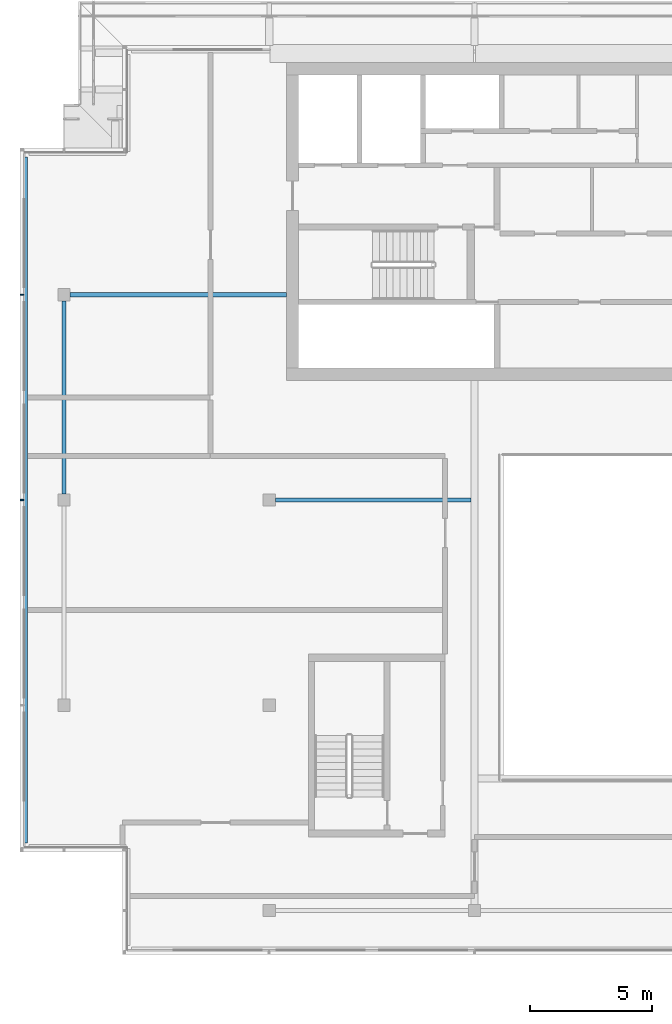
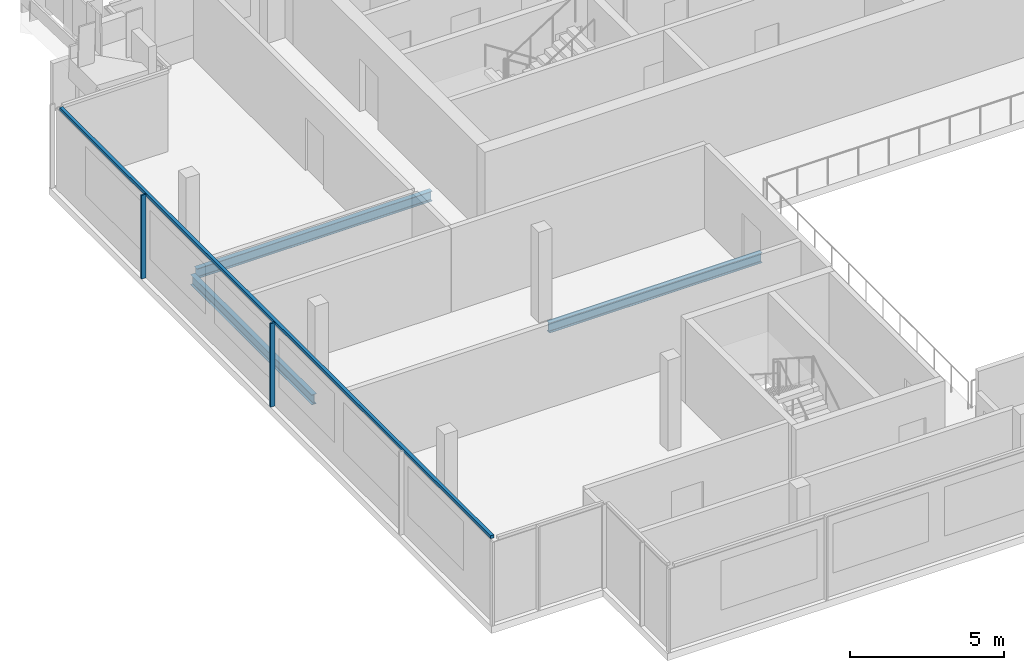
# One storey, part 4 of 21: 3 beams, 3 members, 1 element without a shape of its own.
"""IFC4 building model written with IfcOpenShell, lengths in metres."""

from ifc_helpers import new_model, si_unit, direction, frame, origin, origin_2d, place, context, subcontext, project, spatial, rectangle, i_section, extrude, material, material_profile, profile_set, type_object, element, aggregate, save


model = new_model("IFC4")

# Units and contexts
model_context = context("Model", 3, precision=1e-05, world=origin(), true_north=direction((0.0, 1.0)))
body_context = subcontext(model_context, "Body", "Model", "MODEL_VIEW")
ifc_project = project(units=[si_unit("LENGTHUNIT", "METRE"), si_unit("AREAUNIT", "SQUARE_METRE"), si_unit("VOLUMEUNIT", "CUBIC_METRE"), si_unit("PLANEANGLEUNIT", "RADIAN"), si_unit("MASSUNIT", "GRAM", prefix="KILO")], contexts=[model_context])

# Site, building, storey
site_placement = place(None, origin())
site = spatial("IfcSite", under=ifc_project, at=site_placement, CompositionType="ELEMENT")
building_placement = place(site_placement, origin())
building = spatial("IfcBuilding", under=site, at=building_placement, Name="Saffron Gate Tower", CompositionType="ELEMENT")
storey_placement = place(building_placement, frame((0.0, 0.0, 299.550048828125)))
storey = spatial("IfcBuildingStorey", under=building, at=storey_placement, Name="L73", CompositionType="ELEMENT", Elevation=299.550048828125)

# Beams
ifc_material_1 = material(Name="Structural steel S355", Category="steel")
ifc_material_profile_1 = material_profile(ifc_material_1, i_section(OverallWidth=0.179931640625, OverallDepth=0.39990234375, WebThickness=0.008544921875, FlangeThickness=0.013427734375, FilletRadius=0.02099609375, at=origin_2d()))
ifc_profile_set_1 = profile_set([ifc_material_profile_1], Name="Structural steel S355")
beam_type_1 = type_object("IfcBeamType", Name="B4 IPE 400", PredefinedType="BEAM", material=ifc_profile_set_1)
beam_1_placement = place(storey_placement, frame((66.85009765625, 57.0, -0.47998046875), z_axis=(1.0, 0.0, 0.0), x_axis=(0.0, 1.0, 0.0)))
element("IfcBeam", 1, at=beam_1_placement, inside=storey, type_object=beam_type_1, Name="B4 CORE TIE BEAM", PredefinedType="BEAM", context=body_context, shape_type="SweptSolid", body=[
    extrude(i_section(OverallWidth=0.179931640625, OverallDepth=0.39990234375, WebThickness=0.008544921875, FlangeThickness=0.013427734375, FilletRadius=0.02099609375, at=origin_2d()), origin(), (0.0, 0.0, 1.0), 8.0),
])
beam_2_placement = place(storey_placement, frame((58.449951171875, 65.39990234375, -0.47998046875), z_axis=(1.0, 0.0, 0.0), x_axis=(0.0, 1.0, 0.0)))
element("IfcBeam", 2, at=beam_2_placement, inside=storey, type_object=beam_type_1, Name="B4 CORE TIE BEAM", PredefinedType="BEAM", context=body_context, shape_type="SweptSolid", body=[
    extrude(i_section(OverallWidth=0.179931640625, OverallDepth=0.39990234375, WebThickness=0.008544921875, FlangeThickness=0.013427734375, FilletRadius=0.02099609375, at=origin_2d()), origin(), (0.0, 0.0, 1.0), 8.85009765625),
])
ifc_material_profile_2 = material_profile(ifc_material_1, i_section(OverallWidth=0.179931640625, OverallDepth=0.39990234375, WebThickness=0.008544921875, FlangeThickness=0.013427734375, FilletRadius=0.02099609375, at=origin_2d()))
ifc_profile_set_2 = profile_set([ifc_material_profile_2], Name="Structural steel S355")
beam_type_2 = type_object("IfcBeamType", Name="B5 IPE 400", PredefinedType="SPANDREL", material=ifc_profile_set_2)
beam_3_placement = place(storey_placement, frame((58.199951171875, 57.25, -0.47998046875), z_axis=(0.0, 1.0, 0.0), x_axis=(-1.0, 0.0, 0.0)))
element("IfcBeam", 3, at=beam_3_placement, inside=storey, type_object=beam_type_2, Name="B5 SPANDREL BEAM", PredefinedType="SPANDREL", context=body_context, shape_type="SweptSolid", body=[
    extrude(i_section(OverallWidth=0.179931640625, OverallDepth=0.39990234375, WebThickness=0.008544921875, FlangeThickness=0.013427734375, FilletRadius=0.02099609375, at=origin_2d()), origin(), (0.0, 0.0, 1.0), 7.89990234375),
])

# Curtain wall, members
ifc_material_2 = material(Name="Aluminium, bronze anodised", Category="aluminium")
curtain_wall_type = type_object("IfcCurtainWallType", Name="CWS2 curtain wall side facades", PredefinedType="NOTDEFINED", material=ifc_material_2)
curtain_wall_placement = place(storey_placement, origin())
curtain_wall = element("IfcCurtainWall", 4, at=curtain_wall_placement, inside=storey, type_object=curtain_wall_type, Name="CWS2 run 10", PredefinedType="NOTDEFINED")
ifc_material_profile_3 = material_profile(ifc_material_2, rectangle(XDim=0.1201171875, YDim=0.1201171875, at=origin_2d()))
ifc_profile_set_3 = profile_set([ifc_material_profile_3], Name="Aluminium, bronze anodised")
member_type_1 = type_object("IfcMemberType", Name="CWS2 head transom", PredefinedType="USERDEFINED", material=ifc_profile_set_3)
member_1_placement = place(storey_placement, frame((56.64794921875, 71.031982421875, 3.260009765625), z_axis=(0.0, -1.0, 0.0), x_axis=(1.0, 0.0, 0.0)))
member_1 = element("IfcMember", 5, at=member_1_placement, type_object=member_type_1, Name="CWS2 head transom", ObjectType="TRANSOM", PredefinedType="USERDEFINED", context=body_context, shape_type="SweptSolid", body=[
    extrude(rectangle(XDim=0.1201171875, YDim=0.1201171875, at=origin_2d()), origin(), (0.0, 0.0, 1.0), 28.06396484375),
])
ifc_material_profile_4 = material_profile(ifc_material_2, rectangle(XDim=0.159912109375, YDim=0.06005859375, at=origin_2d()))
ifc_profile_set_4 = profile_set([ifc_material_profile_4], Name="Aluminium, bronze anodised")
member_type_2 = type_object("IfcMemberType", Name="CWS2 mullion 60x160", PredefinedType="MULLION", material=ifc_profile_set_4)
member_2_placement = place(storey_placement, frame((56.47998046875, 65.39990234375, 0.0), z_axis=(0.0, 0.0, 1.0), x_axis=(1.0, 0.0, 0.0)))
member_2 = element("IfcMember", 6, at=member_2_placement, type_object=member_type_2, Name="CWS2 mullion 2", PredefinedType="MULLION", context=body_context, shape_type="SweptSolid", body=[
    extrude(rectangle(XDim=0.159912109375, YDim=0.06005859375, at=origin_2d()), origin(), (0.0, 0.0, 1.0), 3.320068359375),
])
member_3_placement = place(storey_placement, frame((56.47998046875, 57.0, 0.0), z_axis=(0.0, 0.0, 1.0), x_axis=(1.0, 0.0, 0.0)))
member_3 = element("IfcMember", 7, at=member_3_placement, type_object=member_type_2, Name="CWS2 mullion 3", PredefinedType="MULLION", context=body_context, shape_type="SweptSolid", body=[
    extrude(rectangle(XDim=0.159912109375, YDim=0.06005859375, at=origin_2d()), origin(), (0.0, 0.0, 1.0), 3.320068359375),
])
aggregate(curtain_wall, [member_2, member_3, member_1])

save(model, "model.ifc")
